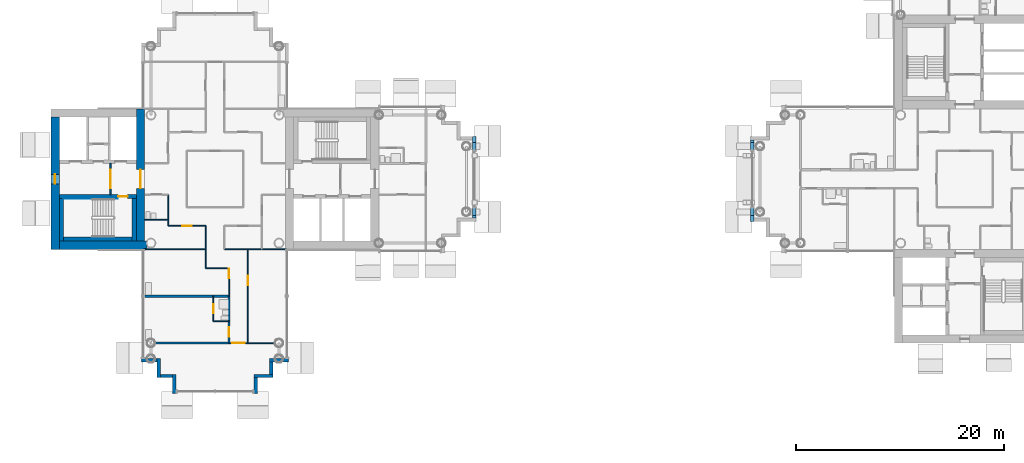
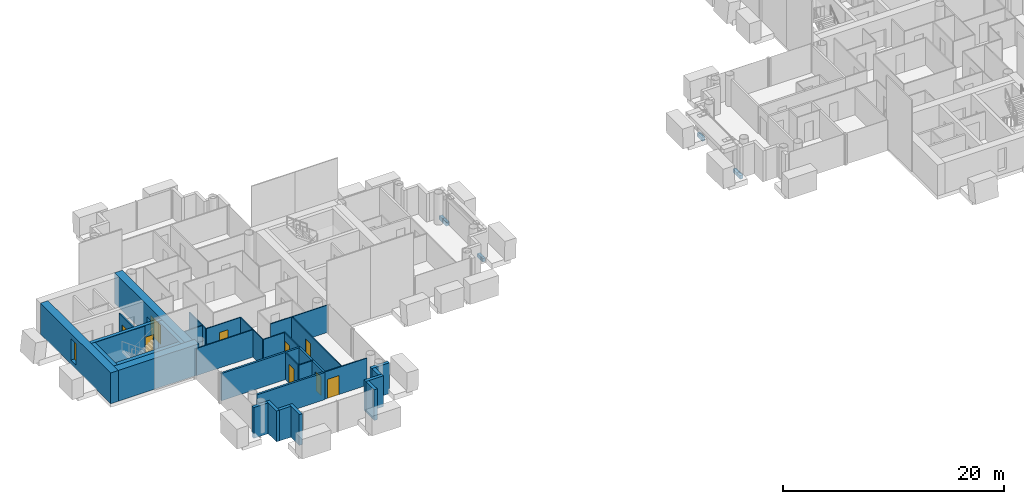
# One storey, part 6 of 18: 32 walls, 9 doors, 8 slabs, 1 window, 10 openings.
"""IFC4 building model written with IfcOpenShell, lengths in metres."""

from ifc_helpers import new_model, si_unit, direction, frame, frame_2d, origin, place, context, subcontext, project, spatial, polyline, rectangle, outline, extrude, material, layer, layer_set, type_object, element, fill, save


model = new_model("IFC4")

# Units and contexts
model_context = context("Model", 3, precision=1e-05, world=origin(), true_north=direction((0.0, 1.0)))
body_context = subcontext(model_context, "Body", "Model", "MODEL_VIEW")
ifc_project = project(units=[si_unit("LENGTHUNIT", "METRE"), si_unit("AREAUNIT", "SQUARE_METRE"), si_unit("VOLUMEUNIT", "CUBIC_METRE"), si_unit("PLANEANGLEUNIT", "RADIAN"), si_unit("MASSUNIT", "GRAM", prefix="KILO")], contexts=[model_context])

# Site, building, storey
site_placement = place(None, origin())
site = spatial("IfcSite", under=ifc_project, at=site_placement, CompositionType="ELEMENT")
building_placement = place(site_placement, origin())
building = spatial("IfcBuilding", under=site, at=building_placement, Name="Ipe Terrace Towers", CompositionType="ELEMENT")
storey_placement = place(building_placement, frame((0.0, 0.0, 177.89990234375)))
storey = spatial("IfcBuildingStorey", under=building, at=storey_placement, Name="L49", CompositionType="ELEMENT", Elevation=177.89990234375)

# Slabs
ifc_material_1 = material(Name="Concrete C40/50", Category="concrete")
ifc_layer_1 = layer(ifc_material_1, 0.39990234375)
ifc_layer_set_1 = layer_set([ifc_layer_1], Name="FLAT PLATE SLAB 400 C40-50")
slab_type = type_object("IfcSlabType", Name="FLAT PLATE SLAB 400 C40-50", PredefinedType="FLOOR", material=ifc_layer_set_1)
slab_1_placement = place(storey_placement, frame((0.0, 0.0, -0.39990234375)))
element("IfcSlab", 1, at=slab_1_placement, inside=storey, type_object=slab_type, Name="Slab ledge", PredefinedType="FLOOR", context=body_context, shape_type="SweptSolid", body=[
    extrude(outline(polyline([(-11.25, -3.75), (-11.25, -3.5), (-10.929931640625, -3.5), (-10.929931640625, -3.75), (-11.25, -3.75)])), origin(), (0.0, 0.0, 1.0), 0.39990234375),
])
slab_2_placement = place(storey_placement, frame((0.0, 0.0, -0.39990234375)))
element("IfcSlab", 2, at=slab_2_placement, inside=storey, type_object=slab_type, Name="Slab ledge", PredefinedType="FLOOR", context=body_context, shape_type="SweptSolid", body=[
    extrude(outline(polyline([(-11.25, -3.5), (-11.25, -2.800048828125), (-10.929931640625, -2.800048828125), (-10.929931640625, -3.5), (-11.25, -3.5)])), origin(), (0.0, 0.0, 1.0), 0.39990234375),
])
slab_3_placement = place(storey_placement, frame((0.0, 0.0, -0.39990234375)))
element("IfcSlab", 3, at=slab_3_placement, inside=storey, type_object=slab_type, Name="Slab ledge", PredefinedType="FLOOR", context=body_context, shape_type="SweptSolid", body=[
    extrude(outline(polyline([(-11.25, 2.800048828125), (-11.25, 3.5), (-10.929931640625, 3.5), (-10.929931640625, 2.800048828125), (-11.25, 2.800048828125)])), origin(), (0.0, 0.0, 1.0), 0.39990234375),
])
slab_4_placement = place(storey_placement, frame((0.0, 0.0, -0.39990234375)))
element("IfcSlab", 4, at=slab_4_placement, inside=storey, type_object=slab_type, Name="Slab ledge", PredefinedType="FLOOR", context=body_context, shape_type="SweptSolid", body=[
    extrude(outline(polyline([(-11.25, 3.5), (-11.25, 4.070068359375), (-10.929931640625, 4.070068359375), (-10.929931640625, 3.5), (-11.25, 3.5)])), origin(), (0.0, 0.0, 1.0), 0.39990234375),
])
slab_5_placement = place(storey_placement, frame((0.0, 0.0, -0.39990234375)))
element("IfcSlab", 5, at=slab_5_placement, inside=storey, type_object=slab_type, Name="Slab ledge", PredefinedType="FLOOR", context=body_context, shape_type="SweptSolid", body=[
    extrude(outline(polyline([(15.75, 3.75), (15.75, 3.5), (15.429931640625, 3.5), (15.429931640625, 3.75), (15.75, 3.75)])), origin(), (0.0, 0.0, 1.0), 0.39990234375),
])
slab_6_placement = place(storey_placement, frame((0.0, 0.0, -0.39990234375)))
element("IfcSlab", 6, at=slab_6_placement, inside=storey, type_object=slab_type, Name="Slab ledge", PredefinedType="FLOOR", context=body_context, shape_type="SweptSolid", body=[
    extrude(outline(polyline([(15.75, 3.5), (15.75, 2.800048828125), (15.429931640625, 2.800048828125), (15.429931640625, 3.5), (15.75, 3.5)])), origin(), (0.0, 0.0, 1.0), 0.39990234375),
])
slab_7_placement = place(storey_placement, frame((0.0, 0.0, -0.39990234375)))
element("IfcSlab", 7, at=slab_7_placement, inside=storey, type_object=slab_type, Name="Slab ledge", PredefinedType="FLOOR", context=body_context, shape_type="SweptSolid", body=[
    extrude(outline(polyline([(15.75, -2.800048828125), (15.75, -3.5), (15.429931640625, -3.5), (15.429931640625, -2.800048828125), (15.75, -2.800048828125)])), origin(), (0.0, 0.0, 1.0), 0.39990234375),
])
slab_8_placement = place(storey_placement, frame((0.0, 0.0, -0.39990234375)))
element("IfcSlab", 8, at=slab_8_placement, inside=storey, type_object=slab_type, Name="Slab ledge", PredefinedType="FLOOR", context=body_context, shape_type="SweptSolid", body=[
    extrude(outline(polyline([(15.75, -3.5), (15.75, -4.070068359375), (15.429931640625, -4.070068359375), (15.429931640625, -3.5), (15.75, -3.5)])), origin(), (0.0, 0.0, 1.0), 0.39990234375),
])

# Walls
ifc_material_2 = material(Name="Concrete C40/50 with buff precast cladding", Category="concrete")
ifc_layer_2 = layer(ifc_material_2, 0.320068359375)
ifc_layer_set_2 = layer_set([ifc_layer_2], Name="BUFF CLADDING WALL 320")
wall_type_1 = type_object("IfcWallType", Name="BUFF CLADDING WALL 320", PredefinedType="STANDARD", material=ifc_layer_set_2)
wall_1_placement = place(storey_placement, frame((-43.070068359375, -17.409912109375, -0.2998046875), z_axis=(0.0, 0.0, 1.0), x_axis=(1.0, 0.0, 0.0)))
element("IfcWall", 9, at=wall_1_placement, inside=storey, type_object=wall_type_1, Name="T1-W-L49-04a wall", PredefinedType="STANDARD", context=body_context, shape_type="SweptSolid", body=[
    extrude(rectangle(XDim=1.5, YDim=0.320068359375, at=frame_2d((0.75, 0.0))), origin(), (0.0, 0.0, 1.0), 3.39990234375),
])
wall_2_placement = place(storey_placement, frame((-41.409912109375, -17.25, -0.2998046875), z_axis=(0.0, 0.0, 1.0), x_axis=(0.0, -1.0, 0.0)))
element("IfcWall", 10, at=wall_2_placement, inside=storey, type_object=wall_type_1, Name="T1-W-L49-05a wall", PredefinedType="STANDARD", context=body_context, shape_type="SweptSolid", body=[
    extrude(rectangle(XDim=1.820068359375, YDim=0.320068359375, at=frame_2d((0.91015625, 0.0))), origin(), (0.0, 0.0, 1.0), 3.39990234375),
])
wall_3_placement = place(storey_placement, frame((-41.25, -18.909912109375, -0.2998046875), z_axis=(0.0, 0.0, 1.0), x_axis=(1.0, 0.0, 0.0)))
element("IfcWall", 11, at=wall_3_placement, inside=storey, type_object=wall_type_1, Name="T1-W-L49-06a wall", PredefinedType="STANDARD", context=body_context, shape_type="SweptSolid", body=[
    extrude(rectangle(XDim=1.179931640625, YDim=0.320068359375, at=frame_2d((0.58984375, 0.0))), origin(), (0.0, 0.0, 1.0), 3.39990234375),
])
wall_4_placement = place(storey_placement, frame((-39.909912109375, -18.75, -0.2998046875), z_axis=(0.0, 0.0, 1.0), x_axis=(0.0, -1.0, 0.0)))
element("IfcWall", 12, at=wall_4_placement, inside=storey, type_object=wall_type_1, Name="T1-W-L49-07a wall", PredefinedType="STANDARD", context=body_context, shape_type="SweptSolid", body=[
    extrude(rectangle(XDim=1.820068359375, YDim=0.320068359375, at=frame_2d((0.91015625, 0.0))), origin(), (0.0, 0.0, 1.0), 3.39990234375),
])
wall_5_placement = place(storey_placement, frame((-32.090087890625, -20.570068359375, -0.2998046875), z_axis=(0.0, 0.0, 1.0), x_axis=(0.0, 1.0, 0.0)))
element("IfcWall", 13, at=wall_5_placement, inside=storey, type_object=wall_type_1, Name="T1-W-L49-09a wall", PredefinedType="STANDARD", context=body_context, shape_type="SweptSolid", body=[
    extrude(rectangle(XDim=1.5, YDim=0.320068359375, at=frame_2d((0.75, 0.0))), origin(), (0.0, 0.0, 1.0), 3.39990234375),
])
wall_6_placement = place(storey_placement, frame((-32.25, -18.909912109375, -0.2998046875), z_axis=(0.0, 0.0, 1.0), x_axis=(1.0, 0.0, 0.0)))
element("IfcWall", 14, at=wall_6_placement, inside=storey, type_object=wall_type_1, Name="T1-W-L49-10a wall", PredefinedType="STANDARD", context=body_context, shape_type="SweptSolid", body=[
    extrude(rectangle(XDim=1.820068359375, YDim=0.320068359375, at=frame_2d((0.91015625, 0.0))), origin(), (0.0, 0.0, 1.0), 3.39990234375),
])
wall_7_placement = place(storey_placement, frame((-30.590087890625, -18.75, -0.2998046875), z_axis=(0.0, 0.0, 1.0), x_axis=(0.0, 1.0, 0.0)))
element("IfcWall", 15, at=wall_7_placement, inside=storey, type_object=wall_type_1, Name="T1-W-L49-11a wall", PredefinedType="STANDARD", context=body_context, shape_type="SweptSolid", body=[
    extrude(rectangle(XDim=1.179931640625, YDim=0.320068359375, at=frame_2d((0.58984375, 0.0))), origin(), (0.0, 0.0, 1.0), 3.39990234375),
])
wall_8_placement = place(storey_placement, frame((-30.75, -17.409912109375, -0.2998046875), z_axis=(0.0, 0.0, 1.0), x_axis=(1.0, 0.0, 0.0)))
element("IfcWall", 16, at=wall_8_placement, inside=storey, type_object=wall_type_1, Name="T1-W-L49-12a wall", PredefinedType="STANDARD", context=body_context, shape_type="SweptSolid", body=[
    extrude(rectangle(XDim=1.820068359375, YDim=0.320068359375, at=frame_2d((0.91015625, 0.0))), origin(), (0.0, 0.0, 1.0), 3.39990234375),
])
ifc_material_3 = material(Name="Gypsum board partition", Category="plasterboard")
ifc_layer_3 = layer(ifc_material_3, 0.10009765625)
ifc_layer_set_3 = layer_set([ifc_layer_3], Name="Gypsum board partition 100 mm")
wall_type_2 = type_object("IfcWallType", Name="Gypsum board partition 100 mm", PredefinedType="PARTITIONING", material=ifc_layer_set_3)
wall_9_placement = place(storey_placement, frame((-40.5, -4.5, 0.0), z_axis=(0.0, 0.0, 1.0), x_axis=(0.0, 1.0, 0.0)))
element("IfcWall", 17, at=wall_9_placement, inside=storey, type_object=wall_type_2, Name="Gypsum board partition T1 L49 W01", PredefinedType="PARTITIONING", context=body_context, shape_type="SweptSolid", body=[
    extrude(rectangle(XDim=3.0, YDim=0.10009765625, at=frame_2d((1.5, 0.0))), origin(), (0.0, 0.0, 1.0), 3.0),
])
wall_10_placement = place(storey_placement, frame((-36.89990234375, -8.550048828125, 0.0), z_axis=(0.0, 0.0, 1.0), x_axis=(0.0, 1.0, 0.0)))
element("IfcWall", 18, at=wall_10_placement, inside=storey, type_object=wall_type_2, Name="Gypsum board partition T1 L49 W04", PredefinedType="PARTITIONING", context=body_context, shape_type="SweptSolid", body=[
    extrude(rectangle(XDim=4.050048828125, YDim=0.10009765625, at=frame_2d((2.02490234375, 0.0))), origin(), (0.0, 0.0, 1.0), 3.0),
])

# Wall, opening, door
wall_11_placement = place(storey_placement, frame((-36.14990234375, -13.64990234375, 0.0), z_axis=(0.0, 0.0, 1.0), x_axis=(0.0, 1.0, 0.0)))
wall_11 = element("IfcWall", 19, at=wall_11_placement, inside=storey, type_object=wall_type_2, Name="Gypsum board partition T1 L49 W06", PredefinedType="PARTITIONING", context=body_context, shape_type="SweptSolid", body=[
    extrude(rectangle(XDim=2.39990234375, YDim=0.10009765625, at=frame_2d((1.199951171875, 0.0))), origin(), (0.0, 0.0, 1.0), 3.0),
])
opening_1_placement = place(wall_11_placement, frame((0.75, 0.0, 0.0)))
opening_1 = element("IfcOpeningElement", 20, at=opening_1_placement, cuts=wall_11, Name="Opening T1-Z3E-15", PredefinedType="OPENING", context=body_context, shape_type="SweptSolid", body=[
    extrude(rectangle(XDim=0.89990234375, YDim=2.10009765625, at=frame_2d((0.449951171875, 1.050048828125))), frame((0.0, 0.06005859375, 0.0), z_axis=(0.0, -1.0, 0.0), x_axis=(1.0, 0.0, 0.0)), (0.0, 0.0, 1.0), 0.1201171875),
])
ifc_material_4 = material(Name="Timber door leaf", Category="wood")
door_type_1 = type_object("IfcDoorType", Name="Bathroom door 900 x 2100", OperationType="NOTDEFINED", PredefinedType="DOOR", material=ifc_material_4)
door_1_placement = place(opening_1_placement, origin())
door_1 = element("IfcDoor", 21, at=door_1_placement, inside=storey, type_object=door_type_1, Name="Bathroom door T1-Z3E-15", OperationType="SINGLE_SWING_RIGHT", OverallHeight=2.10009765625, OverallWidth=0.89990234375, PredefinedType="DOOR", context=body_context, shape_type="SweptSolid", body=[
    extrude(rectangle(XDim=0.89990234375, YDim=2.10009765625, at=frame_2d((0.449951171875, 1.050048828125))), frame((0.0, 0.02490234375, 0.0), z_axis=(0.0, -1.0, 0.0), x_axis=(1.0, 0.0, 0.0)), (0.0, 0.0, 1.0), 0.050048828125),
])
fill(opening_1, door_1)

wall_12_placement = place(storey_placement, frame((-34.64990234375, -11.25, 0.0), z_axis=(0.0, 0.0, 1.0), x_axis=(0.0, 1.0, 0.0)))
wall_12 = element("IfcWall", 22, at=wall_12_placement, inside=storey, type_object=wall_type_2, Name="Gypsum board partition T1 L49 W09", PredefinedType="PARTITIONING", context=body_context, shape_type="SweptSolid", body=[
    extrude(rectangle(XDim=2.699951171875, YDim=0.10009765625, at=frame_2d((1.35009765625, 0.0))), origin(), (0.0, 0.0, 1.0), 3.0),
])
opening_2_placement = place(wall_12_placement, frame((1.72998046875, 0.0, 0.0)))
opening_2 = element("IfcOpeningElement", 23, at=opening_2_placement, cuts=wall_12, Name="Opening T1-Z3E-13", PredefinedType="OPENING", context=body_context, shape_type="SweptSolid", body=[
    extrude(rectangle(XDim=0.89990234375, YDim=2.10009765625, at=frame_2d((0.449951171875, 1.050048828125))), frame((0.0, 0.06005859375, 0.0), z_axis=(0.0, -1.0, 0.0), x_axis=(1.0, 0.0, 0.0)), (0.0, 0.0, 1.0), 0.1201171875),
])
ifc_material_5 = material(Name="Timber door leaf", Category="wood")
door_type_2 = type_object("IfcDoorType", Name="Lounge door 900 x 2100", OperationType="NOTDEFINED", PredefinedType="DOOR", material=ifc_material_5)
door_2_placement = place(opening_2_placement, origin())
door_2 = element("IfcDoor", 24, at=door_2_placement, inside=storey, type_object=door_type_2, Name="Lounge door T1-Z3E-13", OperationType="SINGLE_SWING_LEFT", OverallHeight=2.10009765625, OverallWidth=0.89990234375, PredefinedType="DOOR", context=body_context, shape_type="SweptSolid", body=[
    extrude(rectangle(XDim=0.89990234375, YDim=2.10009765625, at=frame_2d((0.449951171875, 1.050048828125))), frame((0.0, 0.02490234375, 0.0), z_axis=(0.0, -1.0, 0.0), x_axis=(1.0, 0.0, 0.0)), (0.0, 0.0, 1.0), 0.050048828125),
])
fill(opening_2, door_2)

wall_13_placement = place(storey_placement, frame((-32.85009765625, -15.75, 0.0), z_axis=(0.0, 0.0, 1.0), x_axis=(0.0, 1.0, 0.0)))
wall_13 = element("IfcWall", 25, at=wall_13_placement, inside=storey, type_object=wall_type_2, Name="Gypsum board partition T1 L49 W12", PredefinedType="PARTITIONING", context=body_context, shape_type="SweptSolid", body=[
    extrude(rectangle(XDim=9.0, YDim=0.10009765625, at=frame_2d((4.5, 0.0))), origin(), (0.0, 0.0, 1.0), 3.0),
])
opening_3_placement = place(wall_13_placement, frame((5.550048828125, 0.0, 0.0)))
opening_3 = element("IfcOpeningElement", 26, at=opening_3_placement, cuts=wall_13, Name="Opening T1-Z3E-12", PredefinedType="OPENING", context=body_context, shape_type="SweptSolid", body=[
    extrude(rectangle(XDim=0.89990234375, YDim=2.10009765625, at=frame_2d((0.449951171875, 1.050048828125))), frame((0.0, 0.06005859375, 0.0), z_axis=(0.0, -1.0, 0.0), x_axis=(1.0, 0.0, 0.0)), (0.0, 0.0, 1.0), 0.1201171875),
])
door_3_placement = place(opening_3_placement, origin())
door_3 = element("IfcDoor", 27, at=door_3_placement, inside=storey, type_object=door_type_2, Name="Lounge door T1-Z3E-12", OperationType="SINGLE_SWING_RIGHT", OverallHeight=2.10009765625, OverallWidth=0.89990234375, PredefinedType="DOOR", context=body_context, shape_type="SweptSolid", body=[
    extrude(rectangle(XDim=0.89990234375, YDim=2.10009765625, at=frame_2d((0.449951171875, 1.050048828125))), frame((0.0, 0.02490234375, 0.0), z_axis=(0.0, -1.0, 0.0), x_axis=(1.0, 0.0, 0.0)), (0.0, 0.0, 1.0), 0.050048828125),
])
fill(opening_3, door_3)

wall_14_placement = place(storey_placement, frame((-34.64990234375, -15.75, 0.0), z_axis=(0.0, 0.0, 1.0), x_axis=(1.0, 0.0, 0.0)))
wall_14 = element("IfcWall", 28, at=wall_14_placement, inside=storey, type_object=wall_type_2, Name="Gypsum board partition T1 L49 W18", PredefinedType="PARTITIONING", context=body_context, shape_type="SweptSolid", body=[
    extrude(rectangle(XDim=4.39990234375, YDim=0.10009765625, at=frame_2d((2.199951171875, 0.0))), origin(), (0.0, 0.0, 1.0), 3.0),
])
opening_4_placement = place(wall_14_placement, frame((0.300048828125, 0.0, 0.0)))
opening_4 = element("IfcOpeningElement", 29, at=opening_4_placement, cuts=wall_14, Name="Opening T1-Z3E-16", PredefinedType="OPENING", context=body_context, shape_type="SweptSolid", body=[
    extrude(rectangle(XDim=1.199951171875, YDim=2.10009765625, at=frame_2d((0.60009765625, 1.050048828125))), frame((0.0, 0.06005859375, 0.0), z_axis=(0.0, -1.0, 0.0), x_axis=(1.0, 0.0, 0.0)), (0.0, 0.0, 1.0), 0.1201171875),
])
ifc_material_6 = material(Name="Timber door leaf", Category="wood")
door_type_3 = type_object("IfcDoorType", Name="Lounge door 1200 x 2100", OperationType="NOTDEFINED", PredefinedType="DOOR", material=ifc_material_6)
door_4_placement = place(opening_4_placement, origin())
door_4 = element("IfcDoor", 30, at=door_4_placement, inside=storey, type_object=door_type_3, Name="Lounge door T1-Z3E-16", OperationType="SINGLE_SWING_LEFT", OverallHeight=2.10009765625, OverallWidth=1.199951171875, PredefinedType="DOOR", context=body_context, shape_type="SweptSolid", body=[
    extrude(rectangle(XDim=1.199951171875, YDim=2.10009765625, at=frame_2d((0.60009765625, 1.050048828125))), frame((0.0, 0.02490234375, 0.0), z_axis=(0.0, -1.0, 0.0), x_axis=(1.0, 0.0, 0.0)), (0.0, 0.0, 1.0), 0.050048828125),
])
fill(opening_4, door_4)

# Walls
wall_15_placement = place(storey_placement, frame((-36.14990234375, -13.64990234375, 0.0), z_axis=(0.0, 0.0, 1.0), x_axis=(1.0, 0.0, 0.0)))
element("IfcWall", 31, at=wall_15_placement, inside=storey, type_object=wall_type_2, Name="Gypsum board partition T1 L49 W20", PredefinedType="PARTITIONING", context=body_context, shape_type="SweptSolid", body=[
    extrude(rectangle(XDim=1.5, YDim=0.10009765625, at=frame_2d((0.75, 0.0))), origin(), (0.0, 0.0, 1.0), 3.0),
])
wall_16_placement = place(storey_placement, frame((-36.89990234375, -8.550048828125, 0.0), z_axis=(0.0, 0.0, 1.0), x_axis=(1.0, 0.0, 0.0)))
element("IfcWall", 32, at=wall_16_placement, inside=storey, type_object=wall_type_2, Name="Gypsum board partition T1 L49 W22", PredefinedType="PARTITIONING", context=body_context, shape_type="SweptSolid", body=[
    extrude(rectangle(XDim=2.25, YDim=0.10009765625, at=frame_2d((1.125, 0.0))), origin(), (0.0, 0.0, 1.0), 3.0),
])
for number, where, z_axis, x_axis, name in (
    (33, (-42.85009765625, -6.75, 0.0), (0.0, 0.0, 1.0), (1.0, 0.0, 0.0), "Gypsum board partition T1 L49 W23"),
    (34, (-35.10009765625, -6.75, 0.0), (0.0, 0.0, 1.0), (1.0, 0.0, 0.0), "Gypsum board partition T1 L49 W24"),
):
    element("IfcWall", number, at=place(storey_placement, frame(where, z_axis=z_axis, x_axis=x_axis)), inside=storey, type_object=wall_type_2, Name=name, PredefinedType="PARTITIONING", context=body_context, shape_type="SweptSolid", body=[
        extrude(rectangle(XDim=5.9501953125, YDim=0.10009765625, at=frame_2d((2.97509765625, 0.0))), origin(), (0.0, 0.0, 1.0), 3.0),
    ])

# Wall, opening, door
wall_17_placement = place(storey_placement, frame((-40.5, -4.5, 0.0), z_axis=(0.0, 0.0, 1.0), x_axis=(1.0, 0.0, 0.0)))
wall_17 = element("IfcWall", 35, at=wall_17_placement, inside=storey, type_object=wall_type_2, Name="Gypsum board partition T1 L49 W25", PredefinedType="PARTITIONING", context=body_context, shape_type="SweptSolid", body=[
    extrude(rectangle(XDim=3.60009765625, YDim=0.10009765625, at=frame_2d((1.800048828125, 0.0))), origin(), (0.0, 0.0, 1.0), 3.0),
])
opening_5_placement = place(wall_17_placement, frame((1.35009765625, 0.0, 0.0)))
opening_5 = element("IfcOpeningElement", 36, at=opening_5_placement, cuts=wall_17, Name="Opening T1-Z3E-06", PredefinedType="OPENING", context=body_context, shape_type="SweptSolid", body=[
    extrude(rectangle(XDim=0.89990234375, YDim=2.10009765625, at=frame_2d((0.449951171875, 1.050048828125))), frame((0.0, 0.06005859375, 0.0), z_axis=(0.0, -1.0, 0.0), x_axis=(1.0, 0.0, 0.0)), (0.0, 0.0, 1.0), 0.1201171875),
])
door_5_placement = place(opening_5_placement, origin())
door_5 = element("IfcDoor", 37, at=door_5_placement, inside=storey, type_object=door_type_2, Name="Lounge door T1-Z3E-06", OperationType="SINGLE_SWING_LEFT", OverallHeight=2.10009765625, OverallWidth=0.89990234375, PredefinedType="DOOR", context=body_context, shape_type="SweptSolid", body=[
    extrude(rectangle(XDim=0.89990234375, YDim=2.10009765625, at=frame_2d((0.449951171875, 1.050048828125))), frame((0.0, 0.02490234375, 0.0), z_axis=(0.0, -1.0, 0.0), x_axis=(1.0, 0.0, 0.0)), (0.0, 0.0, 1.0), 0.050048828125),
])
fill(opening_5, door_5)

# Wall
wall_18_placement = place(storey_placement, frame((-42.75, -3.89990234375, 0.0), z_axis=(0.0, 0.0, 1.0), x_axis=(1.0, 0.0, 0.0)))
element("IfcWall", 38, at=wall_18_placement, inside=storey, type_object=wall_type_2, Name="Gypsum board partition T1 L49 W27", PredefinedType="PARTITIONING", context=body_context, shape_type="SweptSolid", body=[
    extrude(rectangle(XDim=2.25, YDim=0.10009765625, at=frame_2d((1.125, 0.0))), origin(), (0.0, 0.0, 1.0), 3.0),
])

# Wall, opening, door
ifc_material_7 = material(Name="Gypsum board partition", Category="plasterboard")
ifc_layer_4 = layer(ifc_material_7, 0.14990234375)
ifc_layer_set_4 = layer_set([ifc_layer_4], Name="Gypsum board partition 150 mm")
wall_type_3 = type_object("IfcWallType", Name="Gypsum board partition 150 mm", PredefinedType="PARTITIONING", material=ifc_layer_set_4)
wall_19_placement = place(storey_placement, frame((-46.050048828125, 1.5, 0.0), z_axis=(0.0, 0.0, 1.0), x_axis=(0.0, -1.0, 0.0)))
wall_19 = element("IfcWall", 39, at=wall_19_placement, inside=storey, type_object=wall_type_3, Name="Gypsum board partition T1 L49 t1c2-lobby-wall", PredefinedType="PARTITIONING", context=body_context, shape_type="SweptSolid", body=[
    extrude(rectangle(XDim=3.0, YDim=0.14990234375, at=frame_2d((1.5, 0.0))), origin(), (0.0, 0.0, 1.0), 3.0),
])
opening_6_placement = place(wall_19_placement, frame((0.60009765625, 0.0, 0.0)))
opening_6 = element("IfcOpeningElement", 40, at=opening_6_placement, cuts=wall_19, Name="Opening T1C2-VD", PredefinedType="OPENING", context=body_context, shape_type="SweptSolid", body=[
    extrude(rectangle(XDim=1.800048828125, YDim=2.10009765625, at=frame_2d((0.89990234375, 1.050048828125))), frame((0.0, 0.0849609375, 0.0), z_axis=(0.0, -1.0, 0.0), x_axis=(1.0, 0.0, 0.0)), (0.0, 0.0, 1.0), 0.169921875),
])
ifc_material_8 = material(Name="Fire-rated timber door leaf", Category="wood")
door_type_4 = type_object("IfcDoorType", Name="Lobby door 1800 x 2100 FD60", OperationType="NOTDEFINED", PredefinedType="DOOR", material=ifc_material_8)
door_6_placement = place(opening_6_placement, origin())
door_6 = element("IfcDoor", 41, at=door_6_placement, inside=storey, type_object=door_type_4, Name="Lobby door T1C2-VD", OperationType="SINGLE_SWING_LEFT", OverallHeight=2.10009765625, OverallWidth=1.800048828125, PredefinedType="DOOR", context=body_context, shape_type="SweptSolid", body=[
    extrude(rectangle(XDim=1.800048828125, YDim=2.10009765625, at=frame_2d((0.89990234375, 1.050048828125))), frame((0.0, 0.02490234375, 0.0), z_axis=(0.0, -1.0, 0.0), x_axis=(1.0, 0.0, 0.0)), (0.0, 0.0, 1.0), 0.050048828125),
])
fill(opening_6, door_6)

ifc_material_9 = material(Name="Gypsum board party wall", Category="plasterboard")
ifc_layer_5 = layer(ifc_material_9, 0.199951171875)
ifc_layer_set_5 = layer_set([ifc_layer_5], Name="Gypsum board party wall 200 mm")
wall_type_4 = type_object("IfcWallType", Name="Gypsum board party wall 200 mm", PredefinedType="SOLIDWALL", material=ifc_layer_set_5)
wall_20_placement = place(storey_placement, frame((-34.64990234375, -15.75, 0.0), z_axis=(0.0, 0.0, 1.0), x_axis=(0.0, 1.0, 0.0)))
wall_20 = element("IfcWall", 42, at=wall_20_placement, inside=storey, type_object=wall_type_4, Name="Gypsum board party wall T1 L49 W10", PredefinedType="SOLIDWALL", context=body_context, shape_type="SweptSolid", body=[
    extrude(rectangle(XDim=4.5, YDim=0.199951171875, at=frame_2d((2.25, 0.0))), origin(), (0.0, 0.0, 1.0), 3.0),
])
opening_7_placement = place(wall_20_placement, frame((0.60009765625, 0.0, 0.0)))
opening_7 = element("IfcOpeningElement", 43, at=opening_7_placement, cuts=wall_20, Name="Opening T1-Z3E-14", PredefinedType="OPENING", context=body_context, shape_type="SweptSolid", body=[
    extrude(rectangle(XDim=0.89990234375, YDim=2.10009765625, at=frame_2d((0.449951171875, 1.050048828125))), frame((0.0, 0.10986328125, 0.0), z_axis=(0.0, -1.0, 0.0), x_axis=(1.0, 0.0, 0.0)), (0.0, 0.0, 1.0), 0.219970703125),
])
ifc_material_10 = material(Name="Fire-rated timber door leaf", Category="wood")
door_type_5 = type_object("IfcDoorType", Name="Flat entrance door 900 x 2100 FD30S", OperationType="NOTDEFINED", PredefinedType="DOOR", material=ifc_material_10)
door_7_placement = place(opening_7_placement, origin())
door_7 = element("IfcDoor", 44, at=door_7_placement, inside=storey, type_object=door_type_5, Name="Flat entrance door T1-Z3E-14", OperationType="SINGLE_SWING_RIGHT", OverallHeight=2.10009765625, OverallWidth=0.89990234375, PredefinedType="DOOR", context=body_context, shape_type="SweptSolid", body=[
    extrude(rectangle(XDim=0.89990234375, YDim=2.10009765625, at=frame_2d((0.449951171875, 1.050048828125))), frame((0.0, 0.02490234375, 0.0), z_axis=(0.0, -1.0, 0.0), x_axis=(1.0, 0.0, 0.0)), (0.0, 0.0, 1.0), 0.050048828125),
])
fill(opening_7, door_7)

# Walls
wall_21_placement = place(storey_placement, frame((-41.75, -15.75, 0.0), z_axis=(0.0, 0.0, 1.0), x_axis=(1.0, 0.0, 0.0)))
element("IfcWall", 45, at=wall_21_placement, inside=storey, type_object=wall_type_4, Name="Gypsum board party wall T1 L49 W19", PredefinedType="SOLIDWALL", context=body_context, shape_type="SweptSolid", body=[
    extrude(rectangle(XDim=7.10009765625, YDim=0.199951171875, at=frame_2d((3.550048828125, 0.0))), origin(), (0.0, 0.0, 1.0), 3.0),
])
wall_22_placement = place(storey_placement, frame((-42.85009765625, -11.25, 0.0), z_axis=(0.0, 0.0, 1.0), x_axis=(1.0, 0.0, 0.0)))
element("IfcWall", 46, at=wall_22_placement, inside=storey, type_object=wall_type_4, Name="Gypsum board party wall T1 L49 W21", PredefinedType="SOLIDWALL", context=body_context, shape_type="SweptSolid", body=[
    extrude(rectangle(XDim=8.2001953125, YDim=0.199951171875, at=frame_2d((4.10009765625, 0.0))), origin(), (0.0, 0.0, 1.0), 3.0),
])

# Wall, opening, door
ifc_material_11 = material(Name="Concrete C50/60", Category="concrete")
ifc_layer_6 = layer(ifc_material_11, 0.35009765625)
ifc_layer_set_6 = layer_set([ifc_layer_6], Name="RW350 CORE SPINE WALL 350 C50-60")
wall_type_5 = type_object("IfcWallType", Name="RW350 CORE SPINE WALL 350 C50-60", PredefinedType="SHEAR", material=ifc_layer_set_6)
wall_23_placement = place(storey_placement, frame((-50.949951171875, -1.675048828125, 0.0), z_axis=(0.0, 0.0, 1.0), x_axis=(1.0, 0.0, 0.0)))
wall_23 = element("IfcWall", 47, at=wall_23_placement, inside=storey, type_object=wall_type_5, Name="Core spine wall T1-C2-Z3-SW1", PredefinedType="SHEAR", context=body_context, shape_type="SweptSolid", body=[
    extrude(rectangle(XDim=7.39990234375, YDim=0.35009765625, at=frame_2d((3.699951171875, 0.0))), origin(), (0.0, 0.0, 1.0), 3.400146484375),
])
opening_8_placement = place(wall_23_placement, frame((5.64990234375, 0.0, 0.0)))
opening_8 = element("IfcOpeningElement", 48, at=opening_8_placement, cuts=wall_23, Name="Opening T1C2-SD", PredefinedType="OPENING", context=body_context, shape_type="SweptSolid", body=[
    extrude(rectangle(XDim=0.89990234375, YDim=2.10009765625, at=frame_2d((0.449951171875, 1.050048828125))), frame((0.0, 0.18505859375, 0.0), z_axis=(0.0, -1.0, 0.0), x_axis=(1.0, 0.0, 0.0)), (0.0, 0.0, 1.0), 0.3701171875),
])
ifc_material_12 = material(Name="Fire-rated timber door leaf", Category="wood")
door_type_6 = type_object("IfcDoorType", Name="Stair door 900 x 2100 FD60", OperationType="NOTDEFINED", PredefinedType="DOOR", material=ifc_material_12)
door_8_placement = place(opening_8_placement, origin())
door_8 = element("IfcDoor", 49, at=door_8_placement, inside=storey, type_object=door_type_6, Name="Stair door T1C2-SD", OperationType="SINGLE_SWING_RIGHT", OverallHeight=2.10009765625, OverallWidth=0.89990234375, PredefinedType="DOOR", context=body_context, shape_type="SweptSolid", body=[
    extrude(rectangle(XDim=0.89990234375, YDim=2.10009765625, at=frame_2d((0.449951171875, 1.050048828125))), frame((0.0, 0.02490234375, 0.0), z_axis=(0.0, -1.0, 0.0), x_axis=(1.0, 0.0, 0.0)), (0.0, 0.0, 1.0), 0.050048828125),
])
fill(opening_8, door_8)

# Walls
ifc_material_13 = material(Name="Concrete C50/60", Category="concrete")
ifc_layer_7 = layer(ifc_material_13, 0.39990234375)
ifc_layer_set_7 = layer_set([ifc_layer_7], Name="RW400 CORE INFILL WALL 400 C50-60")
wall_type_6 = type_object("IfcWallType", Name="RW400 CORE INFILL WALL 400 C50-60", PredefinedType="SHEAR", material=ifc_layer_set_7)
wall_24_placement = place(storey_placement, frame((-50.75, -1.85009765625, 0.0), z_axis=(0.0, 0.0, 1.0), x_axis=(0.0, -1.0, 0.0)))
element("IfcWall", 50, at=wall_24_placement, inside=storey, type_object=wall_type_6, Name="Core infill wall T1-C2-far", PredefinedType="SHEAR", context=body_context, shape_type="SweptSolid", body=[
    extrude(rectangle(XDim=4.099853515625, YDim=0.39990234375, at=frame_2d((2.0498046875, 0.0))), origin(), (0.0, 0.0, 1.0), 3.400146484375),
])
wall_25_placement = place(storey_placement, frame((-43.949951171875, -5.75, 0.0), z_axis=(0.0, 0.0, 1.0), x_axis=(-1.0, 0.0, 0.0)))
element("IfcWall", 51, at=wall_25_placement, inside=storey, type_object=wall_type_6, Name="Core infill wall T1-C2-back", PredefinedType="SHEAR", context=body_context, shape_type="SweptSolid", body=[
    extrude(rectangle(XDim=6.60009765625, YDim=0.39990234375, at=frame_2d((3.300048828125, 0.0))), origin(), (0.0, 0.0, 1.0), 3.400146484375),
])
wall_26_placement = place(storey_placement, frame((-43.75, -1.85009765625, 0.0), z_axis=(0.0, 0.0, 1.0), x_axis=(0.0, -1.0, 0.0)))
element("IfcWall", 52, at=wall_26_placement, inside=storey, type_object=wall_type_6, Name="Core infill wall T1-C2-near", PredefinedType="SHEAR", context=body_context, shape_type="SweptSolid", body=[
    extrude(rectangle(XDim=4.099853515625, YDim=0.39990234375, at=frame_2d((2.0498046875, 0.0))), origin(), (0.0, 0.0, 1.0), 3.400146484375),
])
ifc_material_14 = material(Name="Concrete C50/60", Category="concrete")
ifc_layer_8 = layer(ifc_material_14, 0.050048828125)
ifc_layer_set_8 = layer_set([ifc_layer_8], Name="RW50 CORE INFILL WALL 50 C50-60")
wall_type_7 = type_object("IfcWallType", Name="RW50 CORE INFILL WALL 50 C50-60", PredefinedType="SHEAR", material=ifc_layer_set_8)
wall_27_placement = place(storey_placement, frame((-45.35009765625, -1.875, 0.0), z_axis=(0.0, 0.0, 1.0), x_axis=(-1.0, 0.0, 0.0)))
element("IfcWall", 53, at=wall_27_placement, inside=storey, type_object=wall_type_7, Name="Core infill wall T1-C2-spine-b", PredefinedType="SHEAR", context=body_context, shape_type="SweptSolid", body=[
    extrude(rectangle(XDim=5.199951171875, YDim=0.050048828125, at=frame_2d((2.60009765625, 0.0))), origin(), (0.0, 0.0, 1.0), 3.400146484375),
])
ifc_material_15 = material(Name="Concrete C50/60", Category="concrete")
ifc_layer_9 = layer(ifc_material_15, 0.800048828125)
ifc_layer_set_9 = layer_set([ifc_layer_9], Name="RW800 CORE WALL 800 C50-60")
wall_type_8 = type_object("IfcWallType", Name="RW800 CORE WALL 800 C50-60", PredefinedType="SHEAR", material=ifc_layer_set_9)
wall_28_placement = place(storey_placement, frame((-50.949951171875, -6.35009765625, 0.0), z_axis=(0.0, 0.0, 1.0), x_axis=(1.0, 0.0, 0.0)))
element("IfcWall", 54, at=wall_28_placement, inside=storey, type_object=wall_type_8, Name="Core wall T1-C2-Z3-W01", PredefinedType="SHEAR", context=body_context, shape_type="SweptSolid", body=[
    extrude(rectangle(XDim=8.39794921875, YDim=0.800048828125, at=frame_2d((4.198974609375, 0.0))), origin(), (0.0, 0.0, 1.0), 3.400146484375),
])

# Wall, opening, door
wall_29_placement = place(storey_placement, frame((-43.14990234375, -5.949951171875, 0.0), z_axis=(0.0, 0.0, 1.0), x_axis=(0.0, 1.0, 0.0)))
wall_29 = element("IfcWall", 55, at=wall_29_placement, inside=storey, type_object=wall_type_8, Name="Core wall T1-C2-Z3-W02", PredefinedType="SHEAR", context=body_context, shape_type="SweptSolid", body=[
    extrude(rectangle(XDim=12.699951171875, YDim=0.800048828125, at=frame_2d((6.35009765625, 0.0))), origin(), (0.0, 0.0, 1.0), 3.400146484375),
])
opening_9_placement = place(wall_29_placement, frame((5.050048828125, 0.0, 0.0)))
opening_9 = element("IfcOpeningElement", 56, at=opening_9_placement, cuts=wall_29, Name="Opening T1C2-ND", PredefinedType="OPENING", context=body_context, shape_type="SweptSolid", body=[
    extrude(rectangle(XDim=1.800048828125, YDim=2.10009765625, at=frame_2d((0.89990234375, 1.050048828125))), frame((0.0, 0.41015625, 0.0), z_axis=(0.0, -1.0, 0.0), x_axis=(1.0, 0.0, 0.0)), (0.0, 0.0, 1.0), 0.820068359375),
])
ifc_material_16 = material(Name="Fire-rated timber door leaf", Category="wood")
door_type_7 = type_object("IfcDoorType", Name="Fire door 1800 x 2100 FD30S", OperationType="NOTDEFINED", PredefinedType="DOOR", material=ifc_material_16)
door_9_placement = place(opening_9_placement, origin())
door_9 = element("IfcDoor", 57, at=door_9_placement, inside=storey, type_object=door_type_7, Name="Fire door T1C2-ND", OperationType="SINGLE_SWING_LEFT", OverallHeight=2.10009765625, OverallWidth=1.800048828125, PredefinedType="DOOR", context=body_context, shape_type="SweptSolid", body=[
    extrude(rectangle(XDim=1.800048828125, YDim=2.10009765625, at=frame_2d((0.89990234375, 1.050048828125))), frame((0.0, 0.02490234375, 0.0), z_axis=(0.0, -1.0, 0.0), x_axis=(1.0, 0.0, 0.0)), (0.0, 0.0, 1.0), 0.050048828125),
])
fill(opening_9, door_9)

# Wall, opening, window
wall_30_placement = place(storey_placement, frame((-51.35009765625, 5.949951171875, 0.0), z_axis=(0.0, 0.0, 1.0), x_axis=(0.0, -1.0, 0.0)))
wall_30 = element("IfcWall", 58, at=wall_30_placement, inside=storey, type_object=wall_type_8, Name="Core wall T1-C2-Z3-W04", PredefinedType="SHEAR", context=body_context, shape_type="SweptSolid", body=[
    extrude(rectangle(XDim=12.699951171875, YDim=0.800048828125, at=frame_2d((6.35009765625, 0.0))), origin(), (0.0, 0.0, 1.0), 3.400146484375),
])
opening_10_placement = place(wall_30_placement, frame((5.5, 0.0, 0.449951171875)))
opening_10 = element("IfcOpeningElement", 59, at=opening_10_placement, cuts=wall_30, Name="Opening T1-C2-W-01-L49", PredefinedType="OPENING", context=body_context, shape_type="SweptSolid", body=[
    extrude(rectangle(XDim=0.89990234375, YDim=2.39990234375, at=frame_2d((0.449951171875, 1.199951171875))), frame((0.0, 0.41015625, 0.0), z_axis=(0.0, -1.0, 0.0), x_axis=(1.0, 0.0, 0.0)), (0.0, 0.0, 1.0), 0.820068359375),
])
ifc_material_17 = material(Name="Fire-resistant glazing EI 60", Category="glass")
window_type = type_object("IfcWindowType", Name="CORRIDOR END SLOT WINDOW 900 x 2400 EI 60", PartitioningType="SINGLE_PANEL", PredefinedType="WINDOW", material=ifc_material_17)
window_placement = place(opening_10_placement, origin())
window = element("IfcWindow", 60, at=window_placement, inside=storey, type_object=window_type, Name="W-01 window", OverallHeight=2.39990234375, OverallWidth=0.89990234375, PartitioningType="SINGLE_PANEL", PredefinedType="WINDOW", context=body_context, shape_type="SweptSolid", body=[
    extrude(rectangle(XDim=0.89990234375, YDim=2.39990234375, at=frame_2d((0.449951171875, 1.199951171875))), frame((0.0, 0.030029296875, 0.0), z_axis=(0.0, -1.0, 0.0), x_axis=(1.0, 0.0, 0.0)), (0.0, 0.0, 1.0), 0.06005859375),
])
fill(opening_10, window)

save(model, "model.ifc")
